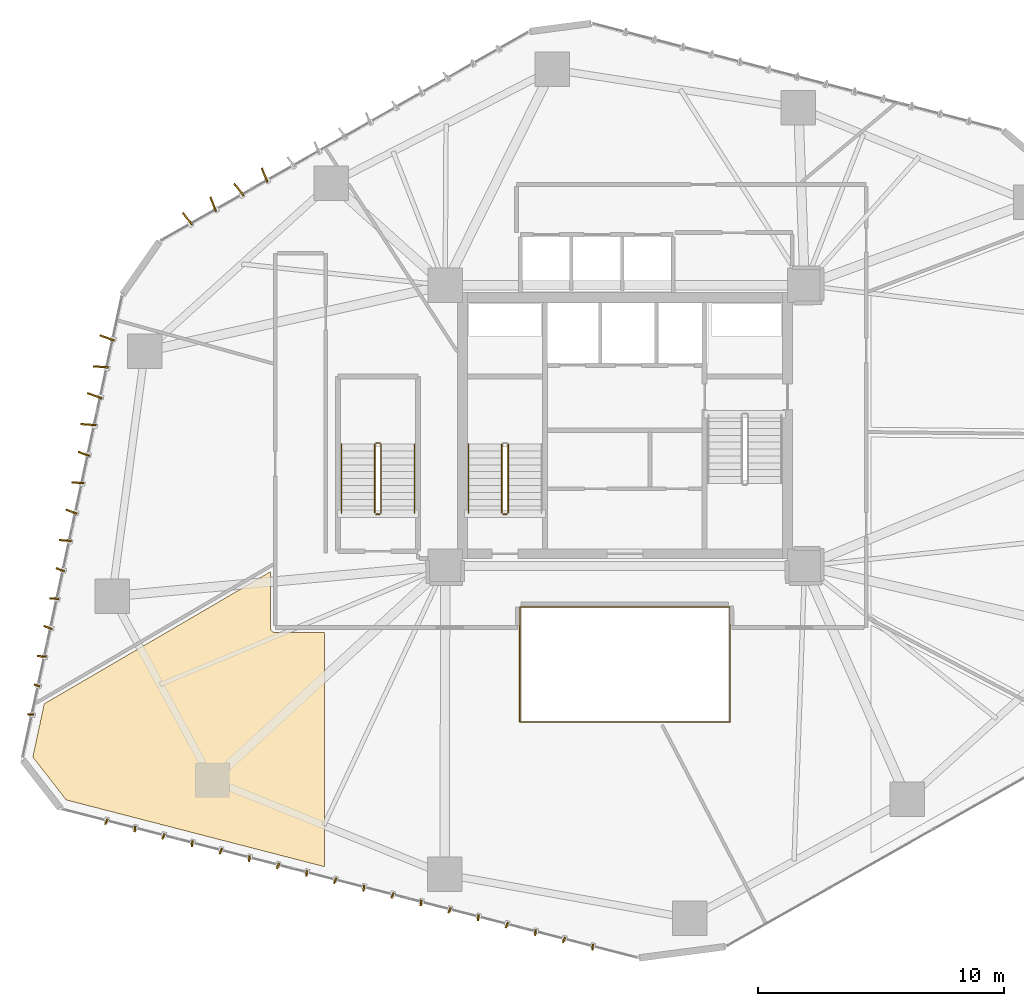
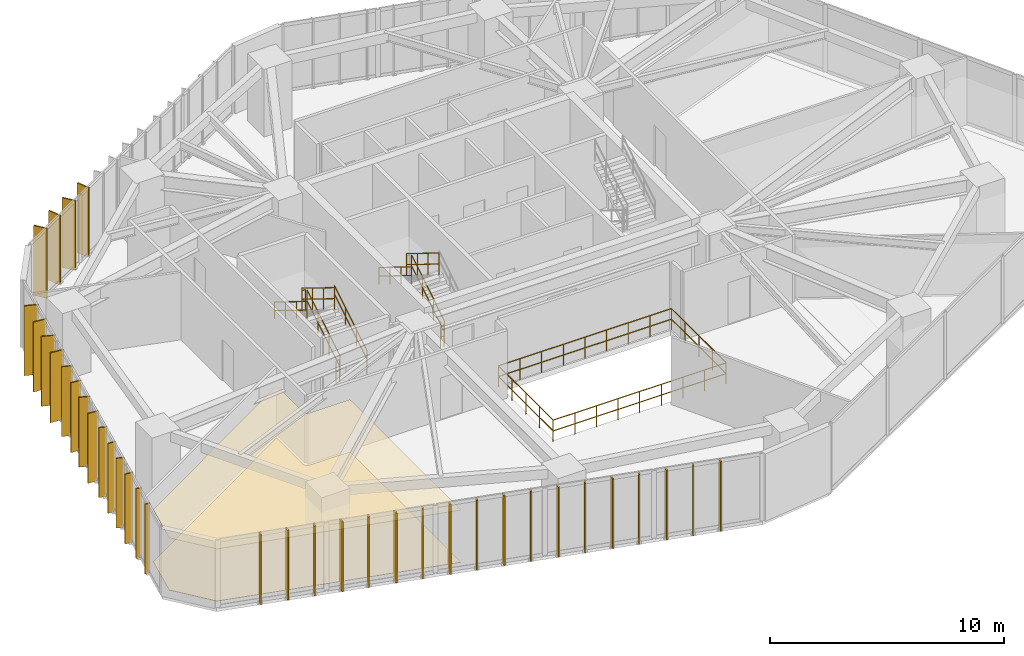
# One storey, part 21 of 23: 36 shading devices, 14 railings, 2 coverings.
"""IFC4 building model written with IfcOpenShell, lengths in metres."""

from ifc_helpers import new_model, si_unit, direction, frame, origin, origin_2d, place, context, subcontext, project, spatial, polyline, rectangle, circle, outline, extrude, source, transform, mapped, material, layer, layer_set, type_object, type_shapes, element, save


model = new_model("IFC4")

# Units and contexts
model_context = context("Model", 3, precision=1e-05, world=origin(), true_north=direction((0.0, 1.0)))
body_context = subcontext(model_context, "Body", "Model", "MODEL_VIEW")
ifc_project = project(units=[si_unit("LENGTHUNIT", "METRE"), si_unit("AREAUNIT", "SQUARE_METRE"), si_unit("VOLUMEUNIT", "CUBIC_METRE"), si_unit("PLANEANGLEUNIT", "RADIAN"), si_unit("MASSUNIT", "GRAM", prefix="KILO")], contexts=[model_context])

# Site, building, storey
site_placement = place(None, origin())
site = spatial("IfcSite", under=ifc_project, at=site_placement, CompositionType="ELEMENT")
building_placement = place(site_placement, origin())
building = spatial("IfcBuilding", under=site, at=building_placement, Name="Talar Marvaseh", CompositionType="ELEMENT")
storey_placement = place(building_placement, frame((0.0, 0.0, 46.800048828125)))
storey = spatial("IfcBuildingStorey", under=building, at=storey_placement, Name="L11", CompositionType="ELEMENT", Elevation=46.800048828125)

# Railings
ifc_material_1 = material(Name="Stainless Steel Grade 316", Category="steel")
railing_type_1 = type_object("IfcRailingType", Name="Brushed Stainless Wall Pitch Handrail 900", PredefinedType="HANDRAIL", material=ifc_material_1)
railing_1_placement = place(storey_placement, frame((19.64990234375, 30.449951171875, 2.07275390625)))
element("IfcRailing", 1, at=railing_1_placement, inside=storey, type_object=railing_type_1, Name="L11 ST-1 stair handrail 2", PredefinedType="HANDRAIL", context=body_context, shape_type="SweptSolid", body=[
    extrude(circle(Radius=0.02392578125, at=origin_2d()), frame((0.0, 0.0, 0.8759765625), z_axis=(0.0, -0.851089632645, 0.525020415988), x_axis=(1.0, 0.0, 0.0)), (0.0, 0.0, 1.0), 3.2900390625),
    extrude(circle(Radius=0.02392578125, at=origin_2d()), frame((0.0, 0.0, 0.42578125), z_axis=(0.0, -0.851089632645, 0.525020415988), x_axis=(1.0, 0.0, 0.0)), (0.0, 0.0, 1.0), 3.2900390625),
    extrude(circle(Radius=0.02099609375, at=origin_2d()), origin(), (0.0, 0.0, 1.0), 0.851806640625),
    extrude(circle(Radius=0.02099609375, at=origin_2d()), frame((0.0, -0.933349609375, 0.57568359375)), (0.0, 0.0, 1.0), 0.851806640625),
    extrude(circle(Radius=0.02099609375, at=origin_2d()), frame((0.0, -1.86669921875, 1.151611328125)), (0.0, 0.0, 1.0), 0.851806640625),
    extrude(circle(Radius=0.02099609375, at=origin_2d()), frame((0.0, -2.800048828125, 1.727294921875)), (0.0, 0.0, 1.0), 0.851806640625),
])
railing_2_placement = place(storey_placement, frame((17.449951171875, 27.64990234375, 0.172607421875)))
element("IfcRailing", 2, at=railing_2_placement, inside=storey, type_object=railing_type_1, Name="L11 ST-3 stair handrail 1", PredefinedType="HANDRAIL", context=body_context, shape_type="SweptSolid", body=[
    extrude(circle(Radius=0.02392578125, at=origin_2d()), frame((0.0, 0.0, 0.8759765625), z_axis=(0.0, 0.851089632645, 0.525020415988), x_axis=(-1.0, 0.0, 0.0)), (0.0, 0.0, 1.0), 3.2900390625),
    extrude(circle(Radius=0.02392578125, at=origin_2d()), frame((0.0, 0.0, 0.42578125), z_axis=(0.0, 0.851089632645, 0.525020415988), x_axis=(-1.0, 0.0, 0.0)), (0.0, 0.0, 1.0), 3.2900390625),
    extrude(circle(Radius=0.02099609375, at=origin_2d()), origin(), (0.0, 0.0, 1.0), 0.851806640625),
    extrude(circle(Radius=0.02099609375, at=origin_2d()), frame((0.0, 0.933349609375, 0.57568359375)), (0.0, 0.0, 1.0), 0.851806640625),
    extrude(circle(Radius=0.02099609375, at=origin_2d()), frame((0.0, 1.86669921875, 1.151611328125)), (0.0, 0.0, 1.0), 0.851806640625),
    extrude(circle(Radius=0.02099609375, at=origin_2d()), frame((0.0, 2.800048828125, 1.727294921875)), (0.0, 0.0, 1.0), 0.851806640625),
])
railing_3_placement = place(storey_placement, frame((14.489990234375, 30.449951171875, 2.07275390625)))
element("IfcRailing", 3, at=railing_3_placement, inside=storey, type_object=railing_type_1, Name="L11 ST-3 stair handrail 2", PredefinedType="HANDRAIL", context=body_context, shape_type="SweptSolid", body=[
    extrude(circle(Radius=0.02392578125, at=origin_2d()), frame((0.0, 0.0, 0.8759765625), z_axis=(0.0, -0.851089632645, 0.525020415988), x_axis=(1.0, 0.0, 0.0)), (0.0, 0.0, 1.0), 3.2900390625),
    extrude(circle(Radius=0.02392578125, at=origin_2d()), frame((0.0, 0.0, 0.42578125), z_axis=(0.0, -0.851089632645, 0.525020415988), x_axis=(1.0, 0.0, 0.0)), (0.0, 0.0, 1.0), 3.2900390625),
    extrude(circle(Radius=0.02099609375, at=origin_2d()), origin(), (0.0, 0.0, 1.0), 0.851806640625),
    extrude(circle(Radius=0.02099609375, at=origin_2d()), frame((0.0, -0.933349609375, 0.57568359375)), (0.0, 0.0, 1.0), 0.851806640625),
    extrude(circle(Radius=0.02099609375, at=origin_2d()), frame((0.0, -1.86669921875, 1.151611328125)), (0.0, 0.0, 1.0), 0.851806640625),
    extrude(circle(Radius=0.02099609375, at=origin_2d()), frame((0.0, -2.800048828125, 1.727294921875)), (0.0, 0.0, 1.0), 0.851806640625),
])
ifc_material_2 = material(Name="Tempered Clear Glass", Category="glass")
railing_type_2 = type_object("IfcRailingType", Name="Interior Atrium Edge Balustrade 1120", PredefinedType="BALUSTRADE", material=ifc_material_2)
railing_4_placement = place(storey_placement, frame((21.729736328125, 19.16162109375, 0.0)))
element("IfcRailing", 4, at=railing_4_placement, inside=storey, type_object=railing_type_2, Name="L11 Internal Daylight Atrium Balustrade 1", PredefinedType="BALUSTRADE", context=body_context, shape_type="SweptSolid", body=[
    extrude(circle(Radius=0.02392578125, at=origin_2d()), frame((0.0, 0.0, 1.09619140625), z_axis=(1.0, 0.0, 0.0), x_axis=(0.0, 1.0, 0.0)), (0.0, 0.0, 1.0), 8.54052734375),
    extrude(circle(Radius=0.02392578125, at=origin_2d()), frame((0.0, 0.0, 0.5361328125), z_axis=(1.0, 0.0, 0.0), x_axis=(0.0, 1.0, 0.0)), (0.0, 0.0, 1.0), 8.54052734375),
    extrude(circle(Radius=0.02099609375, at=origin_2d()), origin(), (0.0, 0.0, 1.0), 1.072021484375),
    extrude(circle(Radius=0.02099609375, at=origin_2d()), frame((1.067626953125, 0.0, 0.0)), (0.0, 0.0, 1.0), 1.072021484375),
    extrude(circle(Radius=0.02099609375, at=origin_2d()), frame((2.13525390625, 0.0, 0.0)), (0.0, 0.0, 1.0), 1.072021484375),
    extrude(circle(Radius=0.02099609375, at=origin_2d()), frame((3.20263671875, 0.0, 0.0)), (0.0, 0.0, 1.0), 1.072021484375),
    extrude(circle(Radius=0.02099609375, at=origin_2d()), frame((4.270263671875, 0.0, 0.0)), (0.0, 0.0, 1.0), 1.072021484375),
    extrude(circle(Radius=0.02099609375, at=origin_2d()), frame((5.337890625, 0.0, 0.0)), (0.0, 0.0, 1.0), 1.072021484375),
    extrude(circle(Radius=0.02099609375, at=origin_2d()), frame((6.4052734375, 0.0, 0.0)), (0.0, 0.0, 1.0), 1.072021484375),
    extrude(circle(Radius=0.02099609375, at=origin_2d()), frame((7.472900390625, 0.0, 0.0)), (0.0, 0.0, 1.0), 1.072021484375),
    extrude(circle(Radius=0.02099609375, at=origin_2d()), frame((8.54052734375, 0.0, 0.0)), (0.0, 0.0, 1.0), 1.072021484375),
])
railing_5_placement = place(storey_placement, frame((30.270263671875, 19.16162109375, 0.0)))
element("IfcRailing", 5, at=railing_5_placement, inside=storey, type_object=railing_type_2, Name="L11 Internal Daylight Atrium Balustrade 2", PredefinedType="BALUSTRADE", context=body_context, shape_type="SweptSolid", body=[
    extrude(circle(Radius=0.02392578125, at=origin_2d()), frame((0.0, 0.0, 1.09619140625), z_axis=(0.0, 1.0, 0.0), x_axis=(-1.0, 0.0, 0.0)), (0.0, 0.0, 1.0), 4.6767578125),
    extrude(circle(Radius=0.02392578125, at=origin_2d()), frame((0.0, 0.0, 0.5361328125), z_axis=(0.0, 1.0, 0.0), x_axis=(-1.0, 0.0, 0.0)), (0.0, 0.0, 1.0), 4.6767578125),
    extrude(circle(Radius=0.02099609375, at=origin_2d()), origin(), (0.0, 0.0, 1.0), 1.072021484375),
    extrude(circle(Radius=0.02099609375, at=origin_2d()), frame((0.0, 1.169189453125, 0.0)), (0.0, 0.0, 1.0), 1.072021484375),
    extrude(circle(Radius=0.02099609375, at=origin_2d()), frame((0.0, 2.33837890625, 0.0)), (0.0, 0.0, 1.0), 1.072021484375),
    extrude(circle(Radius=0.02099609375, at=origin_2d()), frame((0.0, 3.507568359375, 0.0)), (0.0, 0.0, 1.0), 1.072021484375),
    extrude(circle(Radius=0.02099609375, at=origin_2d()), frame((0.0, 4.6767578125, 0.0)), (0.0, 0.0, 1.0), 1.072021484375),
])
railing_6_placement = place(storey_placement, frame((30.270263671875, 23.83837890625, 0.0)))
element("IfcRailing", 6, at=railing_6_placement, inside=storey, type_object=railing_type_2, Name="L11 Internal Daylight Atrium Balustrade 3", PredefinedType="BALUSTRADE", context=body_context, shape_type="SweptSolid", body=[
    extrude(circle(Radius=0.02392578125, at=origin_2d()), frame((0.0, 0.0, 1.09619140625), z_axis=(-1.0, 0.0, 0.0), x_axis=(0.0, -1.0, 0.0)), (0.0, 0.0, 1.0), 8.54052734375),
    extrude(circle(Radius=0.02392578125, at=origin_2d()), frame((0.0, 0.0, 0.5361328125), z_axis=(-1.0, 0.0, 0.0), x_axis=(0.0, -1.0, 0.0)), (0.0, 0.0, 1.0), 8.54052734375),
    extrude(circle(Radius=0.02099609375, at=origin_2d()), origin(), (0.0, 0.0, 1.0), 1.072021484375),
    extrude(circle(Radius=0.02099609375, at=origin_2d()), frame((-1.067626953125, 0.0, 0.0)), (0.0, 0.0, 1.0), 1.072021484375),
    extrude(circle(Radius=0.02099609375, at=origin_2d()), frame((-2.13525390625, 0.0, 0.0)), (0.0, 0.0, 1.0), 1.072021484375),
    extrude(circle(Radius=0.02099609375, at=origin_2d()), frame((-3.20263671875, 0.0, 0.0)), (0.0, 0.0, 1.0), 1.072021484375),
    extrude(circle(Radius=0.02099609375, at=origin_2d()), frame((-4.270263671875, 0.0, 0.0)), (0.0, 0.0, 1.0), 1.072021484375),
    extrude(circle(Radius=0.02099609375, at=origin_2d()), frame((-5.337890625, 0.0, 0.0)), (0.0, 0.0, 1.0), 1.072021484375),
    extrude(circle(Radius=0.02099609375, at=origin_2d()), frame((-6.4052734375, 0.0, 0.0)), (0.0, 0.0, 1.0), 1.072021484375),
    extrude(circle(Radius=0.02099609375, at=origin_2d()), frame((-7.472900390625, 0.0, 0.0)), (0.0, 0.0, 1.0), 1.072021484375),
    extrude(circle(Radius=0.02099609375, at=origin_2d()), frame((-8.54052734375, 0.0, 0.0)), (0.0, 0.0, 1.0), 1.072021484375),
])
railing_7_placement = place(storey_placement, frame((21.729736328125, 23.83837890625, 0.0)))
element("IfcRailing", 7, at=railing_7_placement, inside=storey, type_object=railing_type_2, Name="L11 Internal Daylight Atrium Balustrade 4", PredefinedType="BALUSTRADE", context=body_context, shape_type="SweptSolid", body=[
    extrude(circle(Radius=0.02392578125, at=origin_2d()), frame((0.0, 0.0, 1.09619140625), z_axis=(0.0, -1.0, 0.0), x_axis=(1.0, 0.0, 0.0)), (0.0, 0.0, 1.0), 4.6767578125),
    extrude(circle(Radius=0.02392578125, at=origin_2d()), frame((0.0, 0.0, 0.5361328125), z_axis=(0.0, -1.0, 0.0), x_axis=(1.0, 0.0, 0.0)), (0.0, 0.0, 1.0), 4.6767578125),
    extrude(circle(Radius=0.02099609375, at=origin_2d()), origin(), (0.0, 0.0, 1.0), 1.072021484375),
    extrude(circle(Radius=0.02099609375, at=origin_2d()), frame((0.0, -1.169189453125, 0.0)), (0.0, 0.0, 1.0), 1.072021484375),
    extrude(circle(Radius=0.02099609375, at=origin_2d()), frame((0.0, -2.33837890625, 0.0)), (0.0, 0.0, 1.0), 1.072021484375),
    extrude(circle(Radius=0.02099609375, at=origin_2d()), frame((0.0, -3.507568359375, 0.0)), (0.0, 0.0, 1.0), 1.072021484375),
    extrude(circle(Radius=0.02099609375, at=origin_2d()), frame((0.0, -4.6767578125, 0.0)), (0.0, 0.0, 1.0), 1.072021484375),
])
railing_type_3 = type_object("IfcRailingType", Name="Painted Steel Core Stair Well Guardrail 1150", PredefinedType="GUARDRAIL", material=ifc_material_1)
railing_8_placement = place(storey_placement, frame((21.260009765625, 27.64990234375, 0.172607421875)))
element("IfcRailing", 8, at=railing_8_placement, inside=storey, type_object=railing_type_3, Name="L11 ST-1 stair guard 1", PredefinedType="GUARDRAIL", context=body_context, shape_type="SweptSolid", body=[
    extrude(circle(Radius=0.02392578125, at=origin_2d()), frame((0.0, 0.0, 1.1259765625), z_axis=(0.0, 0.851089632645, 0.525020415988), x_axis=(-1.0, 0.0, 0.0)), (0.0, 0.0, 1.0), 3.2900390625),
    extrude(circle(Radius=0.02392578125, at=origin_2d()), frame((0.0, 0.0, 0.55078125), z_axis=(0.0, 0.851089632645, 0.525020415988), x_axis=(-1.0, 0.0, 0.0)), (0.0, 0.0, 1.0), 3.2900390625),
    extrude(circle(Radius=0.02099609375, at=origin_2d()), origin(), (0.0, 0.0, 1.0), 1.101806640625),
    extrude(circle(Radius=0.02099609375, at=origin_2d()), frame((0.0, 0.933349609375, 0.57568359375)), (0.0, 0.0, 1.0), 1.101806640625),
    extrude(circle(Radius=0.02099609375, at=origin_2d()), frame((0.0, 1.86669921875, 1.151611328125)), (0.0, 0.0, 1.0), 1.101806640625),
    extrude(circle(Radius=0.02099609375, at=origin_2d()), frame((0.0, 2.800048828125, 1.727294921875)), (0.0, 0.0, 1.0), 1.101806640625),
])
railing_9_placement = place(storey_placement, frame((21.0, 30.449951171875, 2.07275390625)))
element("IfcRailing", 9, at=railing_9_placement, inside=storey, type_object=railing_type_3, Name="L11 ST-1 stair guard 3", PredefinedType="GUARDRAIL", context=body_context, shape_type="SweptSolid", body=[
    extrude(circle(Radius=0.02392578125, at=origin_2d()), frame((0.0, 0.0, 1.1259765625), z_axis=(0.0, -0.851089632645, 0.525020415988), x_axis=(1.0, 0.0, 0.0)), (0.0, 0.0, 1.0), 3.2900390625),
    extrude(circle(Radius=0.02392578125, at=origin_2d()), frame((0.0, 0.0, 0.55078125), z_axis=(0.0, -0.851089632645, 0.525020415988), x_axis=(1.0, 0.0, 0.0)), (0.0, 0.0, 1.0), 3.2900390625),
    extrude(circle(Radius=0.02099609375, at=origin_2d()), origin(), (0.0, 0.0, 1.0), 1.101806640625),
    extrude(circle(Radius=0.02099609375, at=origin_2d()), frame((0.0, -0.933349609375, 0.57568359375)), (0.0, 0.0, 1.0), 1.101806640625),
    extrude(circle(Radius=0.02099609375, at=origin_2d()), frame((0.0, -1.86669921875, 1.151611328125)), (0.0, 0.0, 1.0), 1.101806640625),
    extrude(circle(Radius=0.02099609375, at=origin_2d()), frame((0.0, -2.800048828125, 1.727294921875)), (0.0, 0.0, 1.0), 1.101806640625),
])
railing_10_placement = place(storey_placement, frame((21.2099609375, 27.60009765625, 0.0)))
element("IfcRailing", 10, at=railing_10_placement, inside=storey, type_object=railing_type_3, Name="L11 ST-1 stair guard 4", PredefinedType="GUARDRAIL", context=body_context, shape_type="SweptSolid", body=[
    extrude(circle(Radius=0.02392578125, at=origin_2d()), frame((0.0, 0.0, 1.1259765625), z_axis=(-1.0, 0.0, 0.0), x_axis=(0.0, -1.0, 0.0)), (0.0, 0.0, 1.0), 0.159912109375),
    extrude(circle(Radius=0.02392578125, at=origin_2d()), frame((0.0, 0.0, 0.55078125), z_axis=(-1.0, 0.0, 0.0), x_axis=(0.0, -1.0, 0.0)), (0.0, 0.0, 1.0), 0.159912109375),
    extrude(circle(Radius=0.02099609375, at=origin_2d()), origin(), (0.0, 0.0, 1.0), 1.101806640625),
    extrude(circle(Radius=0.02099609375, at=origin_2d()), frame((-0.159912109375, 0.0, 0.0)), (0.0, 0.0, 1.0), 1.101806640625),
])
railing_11_placement = place(storey_placement, frame((16.10009765625, 27.64990234375, 0.172607421875)))
element("IfcRailing", 11, at=railing_11_placement, inside=storey, type_object=railing_type_3, Name="L11 ST-3 stair guard 1", PredefinedType="GUARDRAIL", context=body_context, shape_type="SweptSolid", body=[
    extrude(circle(Radius=0.02392578125, at=origin_2d()), frame((0.0, 0.0, 1.1259765625), z_axis=(0.0, 0.851089632645, 0.525020415988), x_axis=(-1.0, 0.0, 0.0)), (0.0, 0.0, 1.0), 3.2900390625),
    extrude(circle(Radius=0.02392578125, at=origin_2d()), frame((0.0, 0.0, 0.55078125), z_axis=(0.0, 0.851089632645, 0.525020415988), x_axis=(-1.0, 0.0, 0.0)), (0.0, 0.0, 1.0), 3.2900390625),
    extrude(circle(Radius=0.02099609375, at=origin_2d()), origin(), (0.0, 0.0, 1.0), 1.101806640625),
    extrude(circle(Radius=0.02099609375, at=origin_2d()), frame((0.0, 0.933349609375, 0.57568359375)), (0.0, 0.0, 1.0), 1.101806640625),
    extrude(circle(Radius=0.02099609375, at=origin_2d()), frame((0.0, 1.86669921875, 1.151611328125)), (0.0, 0.0, 1.0), 1.101806640625),
    extrude(circle(Radius=0.02099609375, at=origin_2d()), frame((0.0, 2.800048828125, 1.727294921875)), (0.0, 0.0, 1.0), 1.101806640625),
])
railing_12_placement = place(storey_placement, frame((16.050048828125, 30.5, 1.89990234375)))
element("IfcRailing", 12, at=railing_12_placement, inside=storey, type_object=railing_type_3, Name="L11 ST-3 stair guard 2", PredefinedType="GUARDRAIL", context=body_context, shape_type="SweptSolid", body=[
    extrude(circle(Radius=0.02392578125, at=origin_2d()), frame((0.0, 0.0, 1.1259765625), z_axis=(-1.0, 0.0, 0.0), x_axis=(0.0, -1.0, 0.0)), (0.0, 0.0, 1.0), 0.16015625),
    extrude(circle(Radius=0.02392578125, at=origin_2d()), frame((0.0, 0.0, 0.55078125), z_axis=(-1.0, 0.0, 0.0), x_axis=(0.0, -1.0, 0.0)), (0.0, 0.0, 1.0), 0.16015625),
    extrude(circle(Radius=0.02099609375, at=origin_2d()), origin(), (0.0, 0.0, 1.0), 1.101806640625),
    extrude(circle(Radius=0.02099609375, at=origin_2d()), frame((-0.16015625, 0.0, 0.0)), (0.0, 0.0, 1.0), 1.101806640625),
])
railing_13_placement = place(storey_placement, frame((15.840087890625, 30.449951171875, 2.07275390625)))
element("IfcRailing", 13, at=railing_13_placement, inside=storey, type_object=railing_type_3, Name="L11 ST-3 stair guard 3", PredefinedType="GUARDRAIL", context=body_context, shape_type="SweptSolid", body=[
    extrude(circle(Radius=0.02392578125, at=origin_2d()), frame((0.0, 0.0, 1.1259765625), z_axis=(0.0, -0.851089632645, 0.525020415988), x_axis=(1.0, 0.0, 0.0)), (0.0, 0.0, 1.0), 3.2900390625),
    extrude(circle(Radius=0.02392578125, at=origin_2d()), frame((0.0, 0.0, 0.55078125), z_axis=(0.0, -0.851089632645, 0.525020415988), x_axis=(1.0, 0.0, 0.0)), (0.0, 0.0, 1.0), 3.2900390625),
    extrude(circle(Radius=0.02099609375, at=origin_2d()), origin(), (0.0, 0.0, 1.0), 1.101806640625),
    extrude(circle(Radius=0.02099609375, at=origin_2d()), frame((0.0, -0.933349609375, 0.57568359375)), (0.0, 0.0, 1.0), 1.101806640625),
    extrude(circle(Radius=0.02099609375, at=origin_2d()), frame((0.0, -1.86669921875, 1.151611328125)), (0.0, 0.0, 1.0), 1.101806640625),
    extrude(circle(Radius=0.02099609375, at=origin_2d()), frame((0.0, -2.800048828125, 1.727294921875)), (0.0, 0.0, 1.0), 1.101806640625),
])
railing_14_placement = place(storey_placement, frame((16.050048828125, 27.60009765625, 0.0)))
element("IfcRailing", 14, at=railing_14_placement, inside=storey, type_object=railing_type_3, Name="L11 ST-3 stair guard 4", PredefinedType="GUARDRAIL", context=body_context, shape_type="SweptSolid", body=[
    extrude(circle(Radius=0.02392578125, at=origin_2d()), frame((0.0, 0.0, 1.1259765625), z_axis=(-1.0, 0.0, 0.0), x_axis=(0.0, -1.0, 0.0)), (0.0, 0.0, 1.0), 0.16015625),
    extrude(circle(Radius=0.02392578125, at=origin_2d()), frame((0.0, 0.0, 0.55078125), z_axis=(-1.0, 0.0, 0.0), x_axis=(0.0, -1.0, 0.0)), (0.0, 0.0, 1.0), 0.16015625),
    extrude(circle(Radius=0.02099609375, at=origin_2d()), origin(), (0.0, 0.0, 1.0), 1.101806640625),
    extrude(circle(Radius=0.02099609375, at=origin_2d()), frame((-0.16015625, 0.0, 0.0)), (0.0, 0.0, 1.0), 1.101806640625),
])

# Coverings
ifc_material_3 = material(Name="Mineral Fibre Acoustic Ceiling")
ifc_layer_1 = layer(ifc_material_3, 0.02490234375)
ifc_layer_set_1 = layer_set([ifc_layer_1], Name="Mineral Fibre Acoustic Ceiling")
covering_type_1 = type_object("IfcCoveringType", Name="Perforated Mineral Fibre Acoustic Suspended Ceiling", PredefinedType="CEILING", material=ifc_layer_set_1)
covering_1_placement = place(storey_placement, frame((0.0, 0.0, 2.719970703125)))
element("IfcCovering", 15, at=covering_1_placement, inside=storey, type_object=covering_type_1, Name="L11 Exhibition Gallery Acoustic Ceiling", PredefinedType="CEILING", context=body_context, shape_type="SweptSolid", body=[
    extrude(outline(polyline([(2.41796875, 19.905029296875), (11.60009765625, 25.264892578125), (11.60009765625, 23.0), (11.60107421875, 22.98046875), (11.603759765625, 22.9609375), (11.608642578125, 22.94189453125), (11.615234375, 22.923583984375), (11.62353515625, 22.90576171875), (11.6337890625, 22.888916015625), (11.6455078125, 22.873046875), (11.65869140625, 22.858642578125), (11.673095703125, 22.845458984375), (11.68896484375, 22.833740234375), (11.705810546875, 22.823486328125), (11.723388671875, 22.815185546875), (11.741943359375, 22.80859375), (11.760986328125, 22.8037109375), (11.780517578125, 22.801025390625), (11.800048828125, 22.800048828125), (13.800048828125, 22.800048828125), (13.800048828125, 13.28662109375), (3.309814453125, 15.997802734375), (1.95166015625, 17.74072265625), (2.41796875, 19.905029296875)])), origin(), (0.0, 0.0, 1.0), 0.02490234375),
])
ifc_material_4 = material(Name="Porcelain Stoneware Tile", Category="masonry")
ifc_layer_2 = layer(ifc_material_4, 0.02001953125)
ifc_layer_set_2 = layer_set([ifc_layer_2], Name="Porcelain Stoneware Tile")
covering_type_2 = type_object("IfcCoveringType", Name="Polished Porcelain Stoneware Gallery Flooring", PredefinedType="FLOORING", material=ifc_layer_set_2)
covering_2_placement = place(storey_placement, origin())
element("IfcCovering", 16, at=covering_2_placement, inside=storey, type_object=covering_type_2, Name="L11 Exhibition Gallery Flooring", PredefinedType="FLOORING", context=body_context, shape_type="SweptSolid", body=[
    extrude(outline(polyline([(2.41796875, 19.905029296875), (11.60009765625, 25.264892578125), (11.60009765625, 23.0), (11.60107421875, 22.98046875), (11.603759765625, 22.9609375), (11.608642578125, 22.94189453125), (11.615234375, 22.923583984375), (11.62353515625, 22.90576171875), (11.6337890625, 22.888916015625), (11.6455078125, 22.873046875), (11.65869140625, 22.858642578125), (11.673095703125, 22.845458984375), (11.68896484375, 22.833740234375), (11.705810546875, 22.823486328125), (11.723388671875, 22.815185546875), (11.741943359375, 22.80859375), (11.760986328125, 22.8037109375), (11.780517578125, 22.801025390625), (11.800048828125, 22.800048828125), (13.800048828125, 22.800048828125), (13.800048828125, 13.28662109375), (3.309814453125, 15.997802734375), (1.95166015625, 17.74072265625), (2.41796875, 19.905029296875)])), origin(), (0.0, 0.0, 1.0), 0.02001953125),
])

# Shading devices
ifc_material_5 = material(Name="Anodised Champagne Bronze Aluminium", Category="aluminium")
ifc_layer_3 = layer(ifc_material_5, 0.06494140625)
ifc_layer_set_3 = layer_set([ifc_layer_3], Name="Anodised Champagne Bronze Aluminium")
shading_device_type_1 = type_object("IfcShadingDeviceType", Name="Sawtooth Champagne Bronze Vertical Fin 240", PredefinedType="USERDEFINED", material=ifc_layer_set_3)
shared_shape_1 = source(origin(), body_context, "Body", "SweptSolid", [
    extrude(rectangle(XDim=0.239990234375, YDim=0.06494140625, at=origin_2d()), origin(), (0.0, 0.0, 1.0), 3.639892578125),
])
type_shapes(shading_device_type_1, [shared_shape_1])
for number, where, z_axis, x_axis, name in (
    (17, (1.869140625, 19.47119140625, -0.1201171875), (0.0, 0.0, 1.0), (-0.997378009851, 0.072367848286, 0.0), "L11 Sawtooth Vertical Solar Fin"),
    (18, (2.121826171875, 20.644287109375, -0.1201171875), (0.0, 0.0, 1.0), (-0.938793994893, 0.34447907796, 0.0), "L11 Sawtooth Vertical Solar Fin"),
    (19, (24.68994140625, 10.012451171875, -0.1201171875), (0.0, 0.0, 1.0), (-0.113029801042, -0.993591598232, 0.0), "L11 Sawtooth Vertical Solar Fin"),
    (20, (23.528076171875, 10.312744140625, -0.1201171875), (0.0, 0.0, 1.0), (-0.38252217914, -0.923946309298, 0.0), "L11 Sawtooth Vertical Solar Fin"),
    (21, (22.3662109375, 10.613037109375, -0.1201171875), (0.0, 0.0, 1.0), (-0.113029801042, -0.993591598232, 0.0), "L11 Sawtooth Vertical Solar Fin"),
    (22, (21.20458984375, 10.913330078125, -0.1201171875), (0.0, 0.0, 1.0), (-0.38252217914, -0.923946309298, 0.0), "L11 Sawtooth Vertical Solar Fin"),
    (23, (20.04248046875, 11.213623046875, -0.1201171875), (0.0, 0.0, 1.0), (-0.113029801042, -0.993591598232, 0.0), "L11 Sawtooth Vertical Solar Fin"),
    (24, (18.880859375, 11.513916015625, -0.1201171875), (0.0, 0.0, 1.0), (-0.38252217914, -0.923946309298, 0.0), "L11 Sawtooth Vertical Solar Fin"),
    (25, (17.718994140625, 11.814208984375, -0.1201171875), (0.0, 0.0, 1.0), (-0.113029801042, -0.993591598232, 0.0), "L11 Sawtooth Vertical Solar Fin"),
    (26, (16.55712890625, 12.114501953125, -0.1201171875), (0.0, 0.0, 1.0), (-0.38252217914, -0.923946309298, 0.0), "L11 Sawtooth Vertical Solar Fin"),
    (27, (15.395263671875, 12.414794921875, -0.1201171875), (0.0, 0.0, 1.0), (-0.113029801042, -0.993591598232, 0.0), "L11 Sawtooth Vertical Solar Fin"),
    (28, (14.2333984375, 12.715087890625, -0.1201171875), (0.0, 0.0, 1.0), (-0.38252217914, -0.923946309298, 0.0), "L11 Sawtooth Vertical Solar Fin"),
    (29, (13.07177734375, 13.015380859375, -0.1201171875), (0.0, 0.0, 1.0), (-0.113029801042, -0.993591598232, 0.0), "L11 Sawtooth Vertical Solar Fin"),
    (30, (11.909912109375, 13.3154296875, -0.1201171875), (0.0, 0.0, 1.0), (-0.38252217914, -0.923946309298, 0.0), "L11 Sawtooth Vertical Solar Fin"),
    (31, (10.748046875, 13.61572265625, -0.1201171875), (0.0, 0.0, 1.0), (-0.113029801042, -0.993591598232, 0.0), "L11 Sawtooth Vertical Solar Fin"),
    (32, (9.586181640625, 13.916015625, -0.1201171875), (0.0, 0.0, 1.0), (-0.38252217914, -0.923946309298, 0.0), "L11 Sawtooth Vertical Solar Fin"),
    (33, (8.42431640625, 14.21630859375, -0.1201171875), (0.0, 0.0, 1.0), (-0.113029801042, -0.993591598232, 0.0), "L11 Sawtooth Vertical Solar Fin"),
    (34, (7.2626953125, 14.5166015625, -0.1201171875), (0.0, 0.0, 1.0), (-0.38252217914, -0.923946309298, 0.0), "L11 Sawtooth Vertical Solar Fin"),
    (35, (6.1005859375, 14.81689453125, -0.1201171875), (0.0, 0.0, 1.0), (-0.113029801042, -0.993591598232, 0.0), "L11 Sawtooth Vertical Solar Fin"),
    (36, (4.93896484375, 15.1171875, -0.1201171875), (0.0, 0.0, 1.0), (-0.38252217914, -0.923946309298, 0.0), "L11 Sawtooth Vertical Solar Fin"),
):
    element("IfcShadingDevice", number, at=place(storey_placement, frame(where, z_axis=z_axis, x_axis=x_axis)), inside=storey, type_object=shading_device_type_1, Name=name, ObjectType="FIN", PredefinedType="USERDEFINED", context=body_context, shape_type="MappedRepresentation", body=[
        mapped(shared_shape_1, transform((0.0, 0.0, 0.0), x_axis=(1.0, 0.0, 0.0), y_axis=(0.0, 1.0, 0.0), z_axis=(0.0, 0.0, 1.0), scale=1.0)),
    ])
ifc_layer_4 = layer(ifc_material_5, 0.06494140625)
ifc_layer_set_4 = layer_set([ifc_layer_4], Name="Anodised Champagne Bronze Aluminium")
shading_device_type_2 = type_object("IfcShadingDeviceType", Name="Sawtooth Champagne Bronze Vertical Fin 360", PredefinedType="USERDEFINED", material=ifc_layer_set_4)
shared_shape_2 = source(origin(), body_context, "Body", "SweptSolid", [
    extrude(rectangle(XDim=0.360107421875, YDim=0.06494140625, at=origin_2d()), origin(), (0.0, 0.0, 1.0), 3.639892578125),
])
type_shapes(shading_device_type_2, [shared_shape_2])
for number, where, z_axis, x_axis, name in (
    (37, (2.31591796875, 21.830078125, -0.1201171875), (0.0, 0.0, 1.0), (-0.997378009851, 0.072367848286, 0.0), "L11 Sawtooth Vertical Solar Fin"),
    (38, (2.568603515625, 23.00341796875, -0.1201171875), (0.0, 0.0, 1.0), (-0.938793994893, 0.34447907796, 0.0), "L11 Sawtooth Vertical Solar Fin"),
    (39, (2.821044921875, 24.176513671875, -0.1201171875), (0.0, 0.0, 1.0), (-0.997378009851, 0.072367848286, 0.0), "L11 Sawtooth Vertical Solar Fin"),
    (40, (3.07373046875, 25.349609375, -0.1201171875), (0.0, 0.0, 1.0), (-0.938793994893, 0.34447907796, 0.0), "L11 Sawtooth Vertical Solar Fin"),
):
    element("IfcShadingDevice", number, at=place(storey_placement, frame(where, z_axis=z_axis, x_axis=x_axis)), inside=storey, type_object=shading_device_type_2, Name=name, ObjectType="FIN", PredefinedType="USERDEFINED", context=body_context, shape_type="MappedRepresentation", body=[
        mapped(shared_shape_2, transform((0.0, 0.0, 0.0), x_axis=(1.0, 0.0, 0.0), y_axis=(0.0, 1.0, 0.0), z_axis=(0.0, 0.0, 1.0), scale=1.0)),
    ])
ifc_layer_5 = layer(ifc_material_5, 0.06494140625)
ifc_layer_set_5 = layer_set([ifc_layer_5], Name="Anodised Champagne Bronze Aluminium")
shading_device_type_3 = type_object("IfcShadingDeviceType", Name="Sawtooth Champagne Bronze Vertical Fin 480", PredefinedType="USERDEFINED", material=ifc_layer_set_5)
shared_shape_3 = source(origin(), body_context, "Body", "SweptSolid", [
    extrude(rectangle(XDim=0.47998046875, YDim=0.06494140625, at=origin_2d()), origin(), (0.0, 0.0, 1.0), 3.639892578125),
])
type_shapes(shading_device_type_3, [shared_shape_3])
for number, where, z_axis, x_axis, name in (
    (41, (3.267822265625, 26.53515625, -0.1201171875), (0.0, 0.0, 1.0), (-0.997378009851, 0.072367848286, 0.0), "L11 Sawtooth Vertical Solar Fin"),
    (42, (3.5205078125, 27.708251953125, -0.1201171875), (0.0, 0.0, 1.0), (-0.938793994893, 0.34447907796, 0.0), "L11 Sawtooth Vertical Solar Fin"),
    (43, (3.773193359375, 28.88134765625, -0.1201171875), (0.0, 0.0, 1.0), (-0.997378009851, 0.072367848286, 0.0), "L11 Sawtooth Vertical Solar Fin"),
    (44, (4.025634765625, 30.054443359375, -0.1201171875), (0.0, 0.0, 1.0), (-0.938793994893, 0.34447907796, 0.0), "L11 Sawtooth Vertical Solar Fin"),
):
    element("IfcShadingDevice", number, at=place(storey_placement, frame(where, z_axis=z_axis, x_axis=x_axis)), inside=storey, type_object=shading_device_type_3, Name=name, ObjectType="FIN", PredefinedType="USERDEFINED", context=body_context, shape_type="MappedRepresentation", body=[
        mapped(shared_shape_3, transform((0.0, 0.0, 0.0), x_axis=(1.0, 0.0, 0.0), y_axis=(0.0, 1.0, 0.0), z_axis=(0.0, 0.0, 1.0), scale=1.0)),
    ])
ifc_layer_6 = layer(ifc_material_5, 0.06494140625)
ifc_layer_set_6 = layer_set([ifc_layer_6], Name="Anodised Champagne Bronze Aluminium")
shading_device_type_4 = type_object("IfcShadingDeviceType", Name="Sawtooth Champagne Bronze Vertical Fin 620", PredefinedType="USERDEFINED", material=ifc_layer_set_6)
shared_shape_4 = source(origin(), body_context, "Body", "SweptSolid", [
    extrude(rectangle(XDim=0.6201171875, YDim=0.06494140625, at=origin_2d()), origin(), (0.0, 0.0, 1.0), 3.639892578125),
])
type_shapes(shading_device_type_4, [shared_shape_4])
for number, where, z_axis, x_axis, name in (
    (45, (4.2099609375, 31.242431640625, -0.1201171875), (0.0, 0.0, 1.0), (-0.997378009851, 0.072367848286, 0.0), "L11 Sawtooth Vertical Solar Fin"),
    (46, (4.462646484375, 32.41552734375, -0.1201171875), (0.0, 0.0, 1.0), (-0.938793994893, 0.34447907796, 0.0), "L11 Sawtooth Vertical Solar Fin"),
    (47, (4.715087890625, 33.588623046875, -0.1201171875), (0.0, 0.0, 1.0), (-0.997378009851, 0.072367848286, 0.0), "L11 Sawtooth Vertical Solar Fin"),
    (48, (4.968017578125, 34.76171875, -0.1201171875), (0.0, 0.0, 1.0), (-0.938793994893, 0.34447907796, 0.0), "L11 Sawtooth Vertical Solar Fin"),
    (49, (8.23486328125, 39.60302734375, -0.1201171875), (0.0, 0.0, 1.0), (-0.609730238396, 0.792609005996, 0.0), "L11 Sawtooth Vertical Solar Fin"),
    (50, (9.278564453125, 40.1953125, -0.1201171875), (0.0, 0.0, 1.0), (-0.367637672416, 0.929969107993, 0.0), "L11 Sawtooth Vertical Solar Fin"),
    (51, (10.322265625, 40.787353515625, -0.1201171875), (0.0, 0.0, 1.0), (-0.609730238396, 0.792609005996, 0.0), "L11 Sawtooth Vertical Solar Fin"),
    (52, (11.3662109375, 41.37939453125, -0.1201171875), (0.0, 0.0, 1.0), (-0.367637672416, 0.929969107993, 0.0), "L11 Sawtooth Vertical Solar Fin"),
):
    element("IfcShadingDevice", number, at=place(storey_placement, frame(where, z_axis=z_axis, x_axis=x_axis)), inside=storey, type_object=shading_device_type_4, Name=name, ObjectType="FIN", PredefinedType="USERDEFINED", context=body_context, shape_type="MappedRepresentation", body=[
        mapped(shared_shape_4, transform((0.0, 0.0, 0.0), x_axis=(1.0, 0.0, 0.0), y_axis=(0.0, 1.0, 0.0), z_axis=(0.0, 0.0, 1.0), scale=1.0)),
    ])

save(model, "model.ifc")
